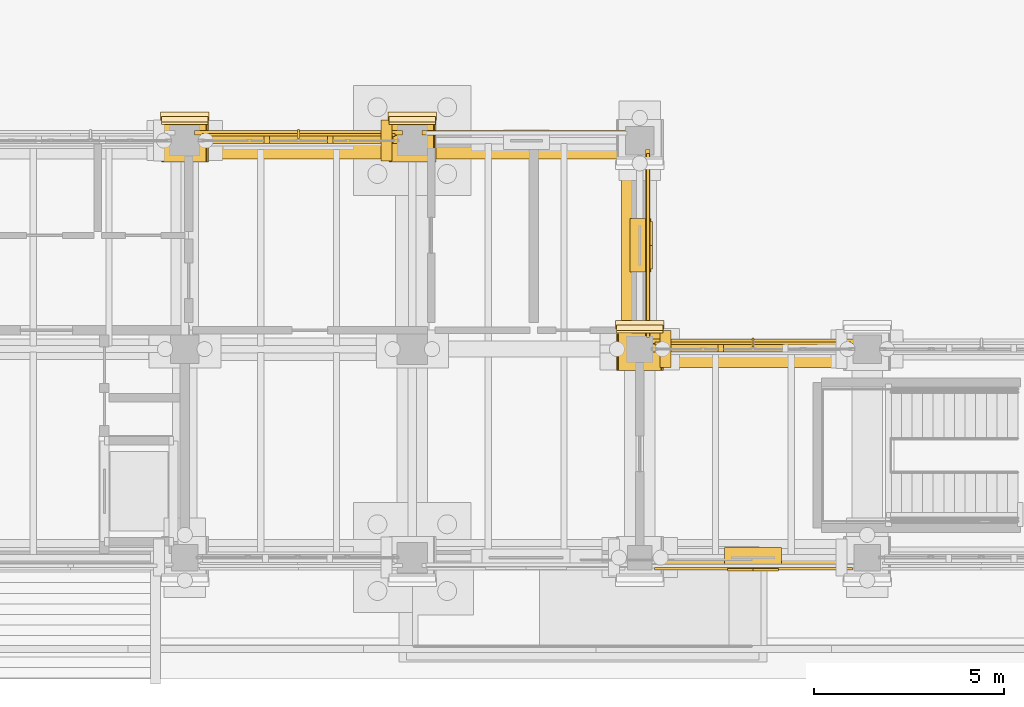
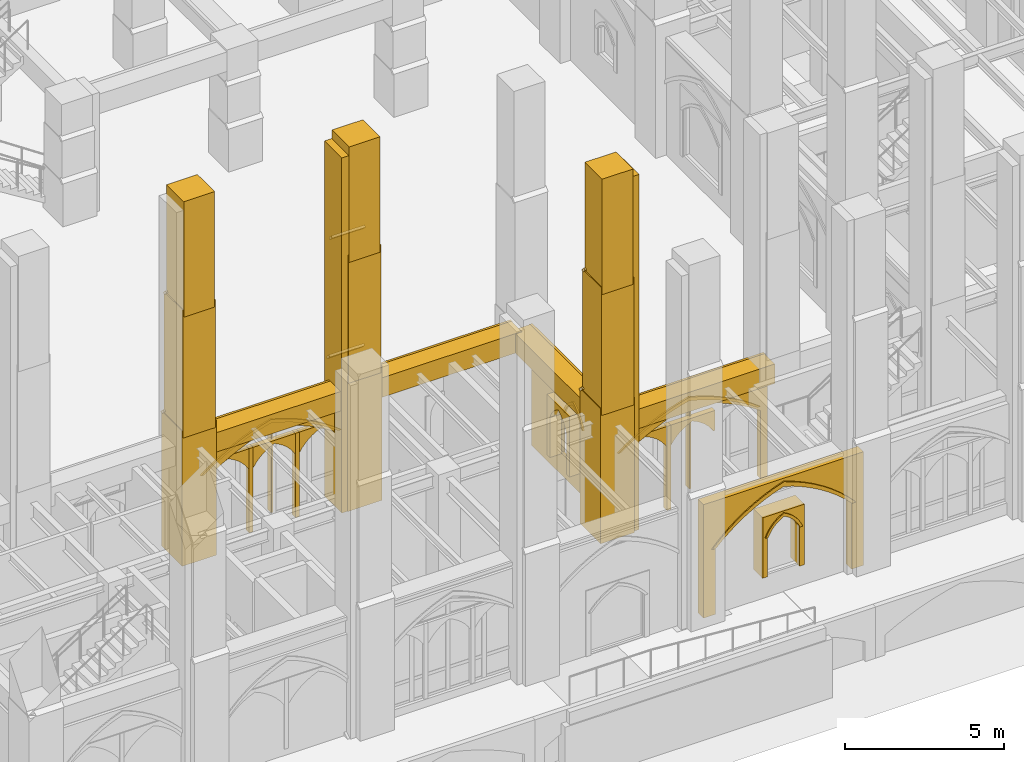
# One storey, part 81 of 135: 44 coverings, 2 shading devices.
"""IFC4 building model written with IfcOpenShell, lengths in metres."""

from ifc_helpers import new_model, si_unit, direction, frame, origin, origin_2d, place, context, subcontext, project, spatial, polyline, rectangle, outline, extrude, material, type_object, element, save


model = new_model("IFC4")

# Units and contexts
model_context = context("Model", 3, precision=1e-05, world=origin(), true_north=direction((0.0, 1.0)))
body_context = subcontext(model_context, "Body", "Model", "MODEL_VIEW")
ifc_project = project(units=[si_unit("LENGTHUNIT", "METRE"), si_unit("AREAUNIT", "SQUARE_METRE"), si_unit("VOLUMEUNIT", "CUBIC_METRE"), si_unit("PLANEANGLEUNIT", "RADIAN"), si_unit("MASSUNIT", "GRAM", prefix="KILO")], contexts=[model_context])

# Site, building, storey
site_placement = place(None, origin())
site = spatial("IfcSite", under=ifc_project, at=site_placement, CompositionType="ELEMENT")
building_placement = place(site_placement, origin())
building = spatial("IfcBuilding", under=site, at=building_placement, Name="Cumevento Cable Car Station", CompositionType="ELEMENT")
storey_placement = place(building_placement, origin())
storey = spatial("IfcBuildingStorey", under=building, at=storey_placement, Name="L01", CompositionType="ELEMENT", Elevation=0.0)

# Shading devices
ifc_material_1 = material(Name="Anodised Bronze Aluminium AW-6063-T6", Category="aluminium")
shading_device_type = type_object("IfcShadingDeviceType", Name="Bronze Lancet Brise-Soleil BS-01", PredefinedType="JALOUSIE", material=ifc_material_1)
shading_device_1_placement = place(storey_placement, frame((37.0, 15.179931640625, 0.360107421875), z_axis=(0.0, 0.0, 1.0), x_axis=(1.0, 0.0, 0.0)))
element("IfcShadingDevice", 1, at=shading_device_1_placement, inside=storey, type_object=shading_device_type, Name="Bronze Lancet Solar Fin #3", PredefinedType="JALOUSIE", context=body_context, shape_type="SweptSolid", body=[
    extrude(rectangle(XDim=0.054931640625, YDim=0.239990234375, at=origin_2d()), origin(), (0.0, 0.0, 1.0), 3.52099609375),
])
shading_device_2_placement = place(storey_placement, frame((48.987548828125, 9.679931640625, 0.409912109375), z_axis=(0.0, 0.0, 1.0), x_axis=(1.0, 0.0, 0.0)))
element("IfcShadingDevice", 2, at=shading_device_2_placement, inside=storey, type_object=shading_device_type, Name="Bronze Lancet Solar Fin #4", PredefinedType="JALOUSIE", context=body_context, shape_type="SweptSolid", body=[
    extrude(rectangle(XDim=0.054931640625, YDim=0.239990234375, at=origin_2d()), origin(), (0.0, 0.0, 1.0), 3.458984375),
])

# Coverings
ifc_material_2 = material(Name="Gnaisse Facoidal Stone Ashlar 85 MPa", Category="masonry")
covering_type = type_object("IfcCoveringType", Name="Gnaisse Ashlar Cladding CV-CL01", PredefinedType="CLADDING", material=ifc_material_2)
covering_1_placement = place(storey_placement, frame((34.0, 15.090087890625, -0.06005859375), z_axis=(0.0, 0.0, 1.0), x_axis=(-1.0, 0.0, 0.0)))
element("IfcCovering", 3, at=covering_1_placement, inside=storey, type_object=covering_type, Name="Stepped Gothic Stone Buttress Tier 1 bt:34.0:15.0", PredefinedType="CLADDING", context=body_context, shape_type="SweptSolid", body=[
    extrude(rectangle(XDim=1.239990234375, YDim=1.300048828125, at=origin_2d()), origin(), (0.0, 0.0, 1.0), 5.175537109375),
])
covering_2_placement = place(storey_placement, frame((34.639892578125, 15.760009765625, 5.095703125), z_axis=(0.0, 0.711135781079, 0.703054692658), x_axis=(-1.0, 0.0, 0.0)))
element("IfcCovering", 4, at=covering_2_placement, inside=storey, type_object=covering_type, Name="Gothic Buttress Sloped Stone Weathering 1 bt:34.0:15.0", PredefinedType="CLADDING", context=body_context, shape_type="SweptSolid", body=[
    extrude(outline(polyline([(0.0, 0.0), (1.27978515625, 0.0), (1.27978515625, 0.24169083397703695), (0.0, 0.24169083397703695), (0.0, 0.0)])), origin(), (0.0, 0.0, -1.0), 0.090087890625),
])
covering_3_placement = place(storey_placement, frame((34.0, 15.030029296875, 4.84326171875), z_axis=(0.0, 0.0, 1.0), x_axis=(-1.0, 0.0, 0.0)))
element("IfcCovering", 5, at=covering_3_placement, inside=storey, type_object=covering_type, Name="Stepped Gothic Stone Buttress Tier 2 bt:34.0:15.0", PredefinedType="CLADDING", context=body_context, shape_type="SweptSolid", body=[
    extrude(rectangle(XDim=1.179931640625, YDim=1.179931640625, at=origin_2d()), origin(), (0.0, 0.0, 1.0), 4.9033203125),
])
covering_4_placement = place(storey_placement, frame((34.610107421875, 15.639892578125, 9.726318359375), z_axis=(0.0, 0.714474823669, 0.699661151089), x_axis=(-1.0, 0.0, 0.0)))
element("IfcCovering", 6, at=covering_4_placement, inside=storey, type_object=covering_type, Name="Gothic Buttress Sloped Stone Weathering 2 bt:34.0:15.0", PredefinedType="CLADDING", context=body_context, shape_type="SweptSolid", body=[
    extrude(outline(polyline([(0.0, 0.0), (1.22021484375, 0.0), (1.22021484375, 0.21424991728737655), (0.0, 0.21424991728737655), (0.0, 0.0)])), origin(), (0.0, 0.0, -1.0), 0.090087890625),
])
covering_5_placement = place(storey_placement, frame((34.0, 14.97998046875, 9.47412109375), z_axis=(0.0, 0.0, 1.0), x_axis=(-1.0, 0.0, 0.0)))
element("IfcCovering", 7, at=covering_5_placement, inside=storey, type_object=covering_type, Name="Stepped Gothic Stone Buttress Tier 3 bt:34.0:15.0", PredefinedType="CLADDING", context=body_context, shape_type="SweptSolid", body=[
    extrude(rectangle(XDim=1.1201171875, YDim=1.080078125, at=origin_2d()), origin(), (0.0, 0.0, 1.0), 4.426025390625),
])
covering_6_placement = place(storey_placement, frame((40.0, 15.090087890625, -0.06005859375), z_axis=(0.0, 0.0, 1.0), x_axis=(-1.0, 0.0, 0.0)))
element("IfcCovering", 8, at=covering_6_placement, inside=storey, type_object=covering_type, Name="Stepped Gothic Stone Buttress Tier 1 bt:40.0:15.0", PredefinedType="CLADDING", context=body_context, shape_type="SweptSolid", body=[
    extrude(rectangle(XDim=1.239990234375, YDim=1.300048828125, at=origin_2d()), origin(), (0.0, 0.0, 1.0), 5.175537109375),
])
covering_7_placement = place(storey_placement, frame((40.639892578125, 15.760009765625, 5.095703125), z_axis=(0.0, 0.711135781079, 0.703054692658), x_axis=(-1.0, 0.0, 0.0)))
element("IfcCovering", 9, at=covering_7_placement, inside=storey, type_object=covering_type, Name="Gothic Buttress Sloped Stone Weathering 1 bt:40.0:15.0", PredefinedType="CLADDING", context=body_context, shape_type="SweptSolid", body=[
    extrude(outline(polyline([(0.0, 0.0), (1.27978515625, 0.0), (1.27978515625, 0.24169083397703695), (0.0, 0.24169083397703695), (0.0, 0.0)])), origin(), (0.0, 0.0, -1.0), 0.090087890625),
])
covering_8_placement = place(storey_placement, frame((40.0, 15.030029296875, 4.84326171875), z_axis=(0.0, 0.0, 1.0), x_axis=(-1.0, 0.0, 0.0)))
element("IfcCovering", 10, at=covering_8_placement, inside=storey, type_object=covering_type, Name="Stepped Gothic Stone Buttress Tier 2 bt:40.0:15.0", PredefinedType="CLADDING", context=body_context, shape_type="SweptSolid", body=[
    extrude(rectangle(XDim=1.179931640625, YDim=1.179931640625, at=origin_2d()), origin(), (0.0, 0.0, 1.0), 4.9033203125),
])
covering_9_placement = place(storey_placement, frame((40.610107421875, 15.639892578125, 9.726318359375), z_axis=(0.0, 0.714474823669, 0.699661151089), x_axis=(-1.0, 0.0, 0.0)))
element("IfcCovering", 11, at=covering_9_placement, inside=storey, type_object=covering_type, Name="Gothic Buttress Sloped Stone Weathering 2 bt:40.0:15.0", PredefinedType="CLADDING", context=body_context, shape_type="SweptSolid", body=[
    extrude(outline(polyline([(0.0, 0.0), (1.22021484375, 0.0), (1.22021484375, 0.21424991728737655), (0.0, 0.21424991728737655), (0.0, 0.0)])), origin(), (0.0, 0.0, -1.0), 0.090087890625),
])
covering_10_placement = place(storey_placement, frame((40.0, 14.97998046875, 9.47412109375), z_axis=(0.0, 0.0, 1.0), x_axis=(-1.0, 0.0, 0.0)))
element("IfcCovering", 12, at=covering_10_placement, inside=storey, type_object=covering_type, Name="Stepped Gothic Stone Buttress Tier 3 bt:40.0:15.0", PredefinedType="CLADDING", context=body_context, shape_type="SweptSolid", body=[
    extrude(rectangle(XDim=1.1201171875, YDim=1.080078125, at=origin_2d()), origin(), (0.0, 0.0, 1.0), 4.426025390625),
])
covering_11_placement = place(storey_placement, frame((39.320068359375, 15.0, -0.06005859375), z_axis=(0.0, 0.0, 1.0), x_axis=(1.0, 0.0, 0.0)))
element("IfcCovering", 13, at=covering_11_placement, inside=storey, type_object=covering_type, Name="Corner Buttress Stone Return (40.0,15.0)", PredefinedType="CLADDING", context=body_context, shape_type="SweptSolid", body=[
    extrude(rectangle(XDim=0.280029296875, YDim=1.080078125, at=origin_2d()), origin(), (0.0, 0.0, 1.0), 13.6201171875),
])
covering_12_placement = place(storey_placement, frame((46.0, 9.590087890625, -0.06005859375), z_axis=(0.0, 0.0, 1.0), x_axis=(-1.0, 0.0, 0.0)))
element("IfcCovering", 14, at=covering_12_placement, inside=storey, type_object=covering_type, Name="Stepped Gothic Stone Buttress Tier 1 bt:46.0:9.5", PredefinedType="CLADDING", context=body_context, shape_type="SweptSolid", body=[
    extrude(rectangle(XDim=1.239990234375, YDim=1.300048828125, at=origin_2d()), origin(), (0.0, 0.0, 1.0), 5.175537109375),
])
covering_13_placement = place(storey_placement, frame((46.639892578125, 10.260009765625, 5.095703125), z_axis=(0.0, 0.711135781079, 0.703054692658), x_axis=(-1.0, 0.0, 0.0)))
element("IfcCovering", 15, at=covering_13_placement, inside=storey, type_object=covering_type, Name="Gothic Buttress Sloped Stone Weathering 1 bt:46.0:9.5", PredefinedType="CLADDING", context=body_context, shape_type="SweptSolid", body=[
    extrude(outline(polyline([(0.0, 0.0), (1.27978515625, 0.0), (1.27978515625, 0.24169083397703695), (0.0, 0.24169083397703695), (0.0, 0.0)])), origin(), (0.0, 0.0, -1.0), 0.090087890625),
])
covering_14_placement = place(storey_placement, frame((46.0, 9.530029296875, 4.84326171875), z_axis=(0.0, 0.0, 1.0), x_axis=(-1.0, 0.0, 0.0)))
element("IfcCovering", 16, at=covering_14_placement, inside=storey, type_object=covering_type, Name="Stepped Gothic Stone Buttress Tier 2 bt:46.0:9.5", PredefinedType="CLADDING", context=body_context, shape_type="SweptSolid", body=[
    extrude(rectangle(XDim=1.179931640625, YDim=1.179931640625, at=origin_2d()), origin(), (0.0, 0.0, 1.0), 4.9033203125),
])
covering_15_placement = place(storey_placement, frame((46.610107421875, 10.139892578125, 9.726318359375), z_axis=(0.0, 0.714474823669, 0.699661151089), x_axis=(-1.0, 0.0, 0.0)))
element("IfcCovering", 17, at=covering_15_placement, inside=storey, type_object=covering_type, Name="Gothic Buttress Sloped Stone Weathering 2 bt:46.0:9.5", PredefinedType="CLADDING", context=body_context, shape_type="SweptSolid", body=[
    extrude(outline(polyline([(0.0, 0.0), (1.22021484375, 0.0), (1.22021484375, 0.21424991728737655), (0.0, 0.21424991728737655), (0.0, 0.0)])), origin(), (0.0, 0.0, -1.0), 0.090087890625),
])
covering_16_placement = place(storey_placement, frame((46.0, 9.47998046875, 9.47412109375), z_axis=(0.0, 0.0, 1.0), x_axis=(-1.0, 0.0, 0.0)))
element("IfcCovering", 18, at=covering_16_placement, inside=storey, type_object=covering_type, Name="Stepped Gothic Stone Buttress Tier 3 bt:46.0:9.5", PredefinedType="CLADDING", context=body_context, shape_type="SweptSolid", body=[
    extrude(rectangle(XDim=1.1201171875, YDim=1.080078125, at=origin_2d()), origin(), (0.0, 0.0, 1.0), 4.426025390625),
])
covering_17_placement = place(storey_placement, frame((46.679931640625, 9.5, -0.06005859375), z_axis=(0.0, 0.0, 1.0), x_axis=(1.0, 0.0, 0.0)))
element("IfcCovering", 19, at=covering_17_placement, inside=storey, type_object=covering_type, Name="Corner Buttress Stone Return (46.0,9.5)", PredefinedType="CLADDING", context=body_context, shape_type="SweptSolid", body=[
    extrude(rectangle(XDim=0.280029296875, YDim=0.97998046875, at=origin_2d()), origin(), (0.0, 0.0, 1.0), 13.6201171875),
])
covering_18_placement = place(storey_placement, frame((37.0, 14.85009765625, 3.821044921875), z_axis=(0.0, 0.0, 1.0), x_axis=(1.0, 0.0, 0.0)))
element("IfcCovering", 20, at=covering_18_placement, inside=storey, type_object=covering_type, Name="Gothic Stone Spandrel Stringcourse sc:0007", PredefinedType="CLADDING", context=body_context, shape_type="SweptSolid", body=[
    extrude(rectangle(XDim=5.43994140625, YDim=0.659912109375, at=origin_2d()), origin(), (0.0, 0.0, 1.0), 0.7470703125),
])
covering_19_placement = place(storey_placement, frame((37.0, 15.20751953125, 4.43798828125), z_axis=(0.0, 0.0, 1.0), x_axis=(1.0, 0.0, 0.0)))
element("IfcCovering", 21, at=covering_19_placement, inside=storey, type_object=covering_type, Name="Gothic Cornice Dripstone Lip sc:0007", PredefinedType="CLADDING", context=body_context, shape_type="SweptSolid", body=[
    extrude(rectangle(XDim=5.47998046875, YDim=0.114990234375, at=origin_2d()), origin(), (0.0, 0.0, 1.0), 0.1298828125),
])
covering_20_placement = place(storey_placement, frame((43.012451171875, 14.85009765625, 3.821044921875), z_axis=(0.0, 0.0, 1.0), x_axis=(1.0, 0.0, 0.0)))
element("IfcCovering", 22, at=covering_20_placement, inside=storey, type_object=covering_type, Name="Gothic Stone Spandrel Stringcourse sc:0008", PredefinedType="CLADDING", context=body_context, shape_type="SweptSolid", body=[
    extrude(rectangle(XDim=5.465087890625, YDim=0.659912109375, at=origin_2d()), origin(), (0.0, 0.0, 1.0), 0.7470703125),
])
covering_21_placement = place(storey_placement, frame((43.012451171875, 15.20751953125, 4.43798828125), z_axis=(0.0, 0.0, 1.0), x_axis=(1.0, 0.0, 0.0)))
element("IfcCovering", 23, at=covering_21_placement, inside=storey, type_object=covering_type, Name="Gothic Cornice Dripstone Lip sc:0008", PredefinedType="CLADDING", context=body_context, shape_type="SweptSolid", body=[
    extrude(rectangle(XDim=5.5048828125, YDim=0.114990234375, at=origin_2d()), origin(), (0.0, 0.0, 1.0), 0.1298828125),
])
covering_22_placement = place(storey_placement, frame((45.85009765625, 12.237548828125, 3.80908203125), z_axis=(0.0, 0.0, 1.0), x_axis=(0.0, -1.0, 0.0)))
element("IfcCovering", 24, at=covering_22_placement, inside=storey, type_object=covering_type, Name="Gothic Stone Spandrel Stringcourse sc:0011", PredefinedType="CLADDING", context=body_context, shape_type="SweptSolid", body=[
    extrude(rectangle(XDim=5.014892578125, YDim=0.659912109375, at=origin_2d()), origin(), (0.0, 0.0, 1.0), 0.7470703125),
])
covering_23_placement = place(storey_placement, frame((46.20751953125, 12.237548828125, 4.426025390625), z_axis=(0.0, 0.0, 1.0), x_axis=(0.0, -1.0, 0.0)))
element("IfcCovering", 25, at=covering_23_placement, inside=storey, type_object=covering_type, Name="Gothic Cornice Dripstone Lip sc:0011", PredefinedType="CLADDING", context=body_context, shape_type="SweptSolid", body=[
    extrude(rectangle(XDim=5.054931640625, YDim=0.114990234375, at=origin_2d()), origin(), (0.0, 0.0, 1.0), 0.1298828125),
])
covering_24_placement = place(storey_placement, frame((48.987548828125, 9.35009765625, 3.80908203125), z_axis=(0.0, 0.0, 1.0), x_axis=(1.0, 0.0, 0.0)))
element("IfcCovering", 26, at=covering_24_placement, inside=storey, type_object=covering_type, Name="Gothic Stone Spandrel Stringcourse sc:0018", PredefinedType="CLADDING", context=body_context, shape_type="SweptSolid", body=[
    extrude(rectangle(XDim=5.514892578125, YDim=0.659912109375, at=origin_2d()), origin(), (0.0, 0.0, 1.0), 0.7470703125),
])
covering_25_placement = place(storey_placement, frame((48.987548828125, 9.70751953125, 4.426025390625), z_axis=(0.0, 0.0, 1.0), x_axis=(1.0, 0.0, 0.0)))
element("IfcCovering", 27, at=covering_25_placement, inside=storey, type_object=covering_type, Name="Gothic Cornice Dripstone Lip sc:0018", PredefinedType="CLADDING", context=body_context, shape_type="SweptSolid", body=[
    extrude(rectangle(XDim=5.554931640625, YDim=0.114990234375, at=origin_2d()), origin(), (0.0, 0.0, 1.0), 0.1298828125),
])
placement_1 = place(storey_placement, frame((34.39990234375, 15.0, 0.0), z_axis=(0.0, 0.0, 1.0), x_axis=(1.0, 0.0, 0.0)))
element("IfcCovering", 28, at=placement_1, inside=storey, type_object=covering_type, Name="Gothic Ogival Pointed-Arch Stone Spandrel cw_ogival:0004", PredefinedType="CLADDING", context=body_context, shape_type="SweptSolid", body=[
    extrude(outline(polyline([(-0.080078125, 0.0), (-0.080078125, 3.9609375), (5.280029296875, 3.9609375), (5.280029296875, 0.0), (5.0400390625, 0.0), (5.0400390625, 2.61328125), (4.76318359375, 2.809814453125), (4.476806640625, 2.99169921875), (4.181396484375, 3.15869140625), (3.878173828125, 3.310791015625), (3.567626953125, 3.447509765625), (3.25048828125, 3.568115234375), (2.927734375, 3.673095703125), (2.60009765625, 3.760986328125), (2.272216796875, 3.673095703125), (1.949462890625, 3.568115234375), (1.63232421875, 3.447509765625), (1.32177734375, 3.310791015625), (1.0185546875, 3.15869140625), (0.72314453125, 2.99169921875), (0.436767578125, 2.809814453125), (0.159912109375, 2.61328125), (0.159912109375, 0.0), (-0.080078125, 0.0)])), frame((0.0, 0.139892578125, 0.0), z_axis=(0.0, -1.0, 0.0), x_axis=(1.0, 0.0, 0.0)), (0.0, 0.0, 1.0), 0.219970703125),
])
covering_27_placement = place(storey_placement, frame((34.39990234375, 15.0, 2.61328125), z_axis=(0.0, 0.0, 1.0), x_axis=(1.0, 0.0, 0.0)))
element("IfcCovering", 29, at=covering_27_placement, inside=storey, type_object=covering_type, Name="Gothic Pointed Archivolt Hood Moulding cw_ogival:0004", PredefinedType="CLADDING", context=body_context, shape_type="SweptSolid", body=[
    extrude(outline(polyline([(0.159912109375, 0.0), (0.436767578125, 0.1962890625), (0.72314453125, 0.378173828125), (1.0185546875, 0.54541015625), (1.32177734375, 0.697509765625), (1.63232421875, 0.834228515625), (1.949462890625, 0.954833984375), (2.272216796875, 1.0595703125), (2.60009765625, 1.147705078125), (2.927734375, 1.0595703125), (3.25048828125, 0.954833984375), (3.567626953125, 0.834228515625), (3.878173828125, 0.697509765625), (4.181396484375, 0.54541015625), (4.476806640625, 0.378173828125), (4.76318359375, 0.1962890625), (5.0400390625, 0.0), (5.14990234375, 0.0), (4.86474609375, 0.218994140625), (4.568115234375, 0.42236328125), (4.260986328125, 0.609619140625), (3.944091796875, 0.780029296875), (3.618896484375, 0.93310546875), (3.28564453125, 1.068603515625), (2.94580078125, 1.18603515625), (2.60009765625, 1.28515625), (2.254150390625, 1.18603515625), (1.914306640625, 1.068603515625), (1.5810546875, 0.93310546875), (1.255859375, 0.780029296875), (0.93896484375, 0.609619140625), (0.6318359375, 0.42236328125), (0.335205078125, 0.218994140625), (0.050048828125, 0.0), (0.159912109375, 0.0)])), frame((0.0, 0.181884765625, 0.0), z_axis=(0.0, -1.0, 0.0), x_axis=(1.0, 0.0, 0.0)), (0.0, 0.0, 1.0), 0.06689453125),
])
element("IfcCovering", 30, at=placement_1, inside=storey, type_object=covering_type, Name="Gothic Bifora Stone Colonnette cw_ogival:0004 #1", PredefinedType="CLADDING", context=body_context, shape_type="SweptSolid", body=[
    extrude(outline(polyline([(1.686767578125, -0.02001953125), (1.836669921875, -0.02001953125), (1.836669921875, 3.210205078125), (1.686767578125, 3.210205078125), (1.686767578125, -0.02001953125)])), frame((0.0, 0.1279296875, 0.0), z_axis=(0.0, -1.0, 0.0), x_axis=(1.0, 0.0, 0.0)), (0.0, 0.0, 1.0), 0.205078125),
])
element("IfcCovering", 31, at=placement_1, inside=storey, type_object=covering_type, Name="Gothic Bifora Stone Colonnette cw_ogival:0004 #2", PredefinedType="CLADDING", context=body_context, shape_type="SweptSolid", body=[
    extrude(outline(polyline([(3.36328125, -0.02001953125), (3.513427734375, -0.02001953125), (3.513427734375, 3.210205078125), (3.36328125, 3.210205078125), (3.36328125, -0.02001953125)])), frame((0.0, 0.1279296875, 0.0), z_axis=(0.0, -1.0, 0.0), x_axis=(1.0, 0.0, 0.0)), (0.0, 0.0, 1.0), 0.205078125),
])
for number, where, z_axis, x_axis, name in (
    (32, (34.530029296875, 15.0, 2.433349609375), (0.0, 0.0, 1.0), (1.0, 0.0, 0.0), "Gothic Ogival Pointed-Arch Stone Spandrel cw_ogival:0004:sub:0"),
    (33, (36.206787109375, 15.0, 2.433349609375), (0.0, 0.0, 1.0), (1.0, 0.0, 0.0), "Gothic Ogival Pointed-Arch Stone Spandrel cw_ogival:0004:sub:1"),
    (34, (37.88330078125, 15.0, 2.433349609375), (0.0, 0.0, 1.0), (1.0, 0.0, 0.0), "Gothic Ogival Pointed-Arch Stone Spandrel cw_ogival:0004:sub:2"),
):
    element("IfcCovering", number, at=place(storey_placement, frame(where, z_axis=z_axis, x_axis=x_axis)), inside=storey, type_object=covering_type, Name=name, PredefinedType="CLADDING", context=body_context, shape_type="SweptSolid", body=[
        extrude(outline(polyline([(-0.02001953125, 0.0), (-0.02001953125, 0.77685546875), (1.606689453125, 0.77685546875), (1.606689453125, 0.0), (1.546630859375, 0.0), (1.453857421875, 0.141845703125), (1.34619140625, 0.272705078125), (1.224609375, 0.39111328125), (1.0908203125, 0.495361328125), (0.946533203125, 0.584228515625), (0.793212890625, 0.65673828125), (0.64013671875, 0.584228515625), (0.495849609375, 0.495361328125), (0.362060546875, 0.39111328125), (0.240478515625, 0.272705078125), (0.1328125, 0.141845703125), (0.0400390625, 0.0), (-0.02001953125, 0.0)])), frame((0.0, 0.1240234375, 0.0), z_axis=(0.0, -1.0, 0.0), x_axis=(1.0, 0.0, 0.0)), (0.0, 0.0, 1.0), 0.199951171875),
    ])
placement_2 = place(storey_placement, frame((46.35009765625, 9.5, 0.0), z_axis=(0.0, 0.0, 1.0), x_axis=(1.0, 0.0, 0.0)))
element("IfcCovering", 35, at=placement_2, inside=storey, type_object=covering_type, Name="Gothic Ogival Pointed-Arch Stone Spandrel cw_ogival:0005", PredefinedType="CLADDING", context=body_context, shape_type="SweptSolid", body=[
    extrude(outline(polyline([(-0.080078125, 0.0), (-0.080078125, 3.948974609375), (5.35498046875, 3.948974609375), (5.35498046875, 0.0), (5.114990234375, 0.0), (5.114990234375, 2.623779296875), (4.83203125, 2.81640625), (4.5400390625, 2.9951171875), (4.239501953125, 3.1591796875), (3.931396484375, 3.308349609375), (3.616455078125, 3.442138671875), (3.295166015625, 3.560302734375), (2.96875, 3.662841796875), (2.637451171875, 3.7490234375), (2.30615234375, 3.662841796875), (1.979736328125, 3.560302734375), (1.658447265625, 3.442138671875), (1.343505859375, 3.308349609375), (1.035400390625, 3.1591796875), (0.73486328125, 2.9951171875), (0.44287109375, 2.81640625), (0.159912109375, 2.623779296875), (0.159912109375, 0.0), (-0.080078125, 0.0)])), frame((0.0, 0.139892578125, 0.0), z_axis=(0.0, -1.0, 0.0), x_axis=(1.0, 0.0, 0.0)), (0.0, 0.0, 1.0), 0.219970703125),
])
covering_31_placement = place(storey_placement, frame((46.35009765625, 9.5, 2.623779296875), z_axis=(0.0, 0.0, 1.0), x_axis=(1.0, 0.0, 0.0)))
element("IfcCovering", 36, at=covering_31_placement, inside=storey, type_object=covering_type, Name="Gothic Pointed Archivolt Hood Moulding cw_ogival:0005", PredefinedType="CLADDING", context=body_context, shape_type="SweptSolid", body=[
    extrude(outline(polyline([(0.159912109375, 0.0), (0.44287109375, 0.192626953125), (0.73486328125, 0.371337890625), (1.035400390625, 0.535400390625), (1.343505859375, 0.6845703125), (1.658447265625, 0.818359375), (1.979736328125, 0.9365234375), (2.30615234375, 1.0390625), (2.637451171875, 1.125244140625), (2.96875, 1.0390625), (3.295166015625, 0.9365234375), (3.616455078125, 0.818359375), (3.931396484375, 0.6845703125), (4.239501953125, 0.535400390625), (4.5400390625, 0.371337890625), (4.83203125, 0.192626953125), (5.114990234375, 0.0), (5.22509765625, 0.0), (4.933349609375, 0.215576171875), (4.631103515625, 0.41552734375), (4.31884765625, 0.599609375), (3.997314453125, 0.766845703125), (3.66748046875, 0.917236328125), (3.330322265625, 1.05029296875), (2.986572265625, 1.16552734375), (2.637451171875, 1.2626953125), (2.288330078125, 1.16552734375), (1.944580078125, 1.05029296875), (1.607421875, 0.917236328125), (1.277587890625, 0.766845703125), (0.9560546875, 0.599609375), (0.643798828125, 0.41552734375), (0.341552734375, 0.215576171875), (0.050048828125, 0.0), (0.159912109375, 0.0)])), frame((0.0, 0.181884765625, 0.0), z_axis=(0.0, -1.0, 0.0), x_axis=(1.0, 0.0, 0.0)), (0.0, 0.0, 1.0), 0.06689453125),
])
element("IfcCovering", 37, at=placement_2, inside=storey, type_object=covering_type, Name="Gothic Bifora Stone Colonnette cw_ogival:0005 #1", PredefinedType="CLADDING", context=body_context, shape_type="SweptSolid", body=[
    extrude(outline(polyline([(1.711669921875, -0.02001953125), (1.861572265625, -0.02001953125), (1.861572265625, 3.208984375), (1.711669921875, 3.208984375), (1.711669921875, -0.02001953125)])), frame((0.0, 0.1279296875, 0.0), z_axis=(0.0, -1.0, 0.0), x_axis=(1.0, 0.0, 0.0)), (0.0, 0.0, 1.0), 0.205078125),
])
for number, where, z_axis, x_axis, name in (
    (38, (46.47998046875, 9.5, 2.44384765625), (0.0, 0.0, 1.0), (1.0, 0.0, 0.0), "Gothic Ogival Pointed-Arch Stone Spandrel cw_ogival:0005:sub:0"),
    (39, (48.181640625, 9.5, 2.44384765625), (0.0, 0.0, 1.0), (1.0, 0.0, 0.0), "Gothic Ogival Pointed-Arch Stone Spandrel cw_ogival:0005:sub:1"),
):
    element("IfcCovering", number, at=place(storey_placement, frame(where, z_axis=z_axis, x_axis=x_axis)), inside=storey, type_object=covering_type, Name=name, PredefinedType="CLADDING", context=body_context, shape_type="SweptSolid", body=[
        extrude(outline(polyline([(-0.02001953125, 0.0), (-0.02001953125, 0.76513671875), (1.631591796875, 0.76513671875), (1.631591796875, 0.0), (1.57177734375, 0.0), (1.475341796875, 0.139892578125), (1.36474609375, 0.2685546875), (1.240966796875, 0.384765625), (1.10546875, 0.487060546875), (0.9599609375, 0.573974609375), (0.805908203125, 0.64501953125), (0.651611328125, 0.573974609375), (0.506103515625, 0.487060546875), (0.37060546875, 0.384765625), (0.246826171875, 0.2685546875), (0.13623046875, 0.139892578125), (0.0400390625, 0.0), (-0.02001953125, 0.0)])), frame((0.0, 0.1240234375, 0.0), z_axis=(0.0, -1.0, 0.0), x_axis=(1.0, 0.0, 0.0)), (0.0, 0.0, 1.0), 0.199951171875),
    ])
covering_33_placement = place(storey_placement, frame((46.0, 14.625, 0.0), z_axis=(0.0, 0.0, 1.0), x_axis=(0.0, -1.0, 0.0)))
element("IfcCovering", 40, at=covering_33_placement, inside=storey, type_object=covering_type, Name="Exterior Gnaisse Stone Wall Ashlar #116", PredefinedType="CLADDING", context=body_context, shape_type="SweptSolid", body=[
    extrude(outline(polyline([(-0.0400390625, -0.02001953125), (4.81494140625, -0.02001953125), (4.81494140625, 3.888916015625), (-0.0400390625, 3.888916015625), (-0.0400390625, -0.02001953125)]), holes=[polyline([(1.87255859375, 0.860107421875), (2.902587890625, 0.860107421875), (2.902587890625, 2.889892578125), (1.87255859375, 2.889892578125), (1.87255859375, 0.860107421875)])]), frame((0.0, 0.260009765625, 0.0), z_axis=(0.0, -1.0, 0.0), x_axis=(1.0, 0.0, 0.0)), (0.0, 0.0, 1.0), 0.0849609375),
])
covering_34_placement = place(storey_placement, frame((46.0, 12.902587890625, 0.800048828125), z_axis=(0.0, 0.0, 1.0), x_axis=(0.0, -1.0, 0.0)))
element("IfcCovering", 41, at=covering_34_placement, inside=storey, type_object=covering_type, Name="Gothic Ogival Pointed-Arch Stone Spandrel op_ogival:0116:1", PredefinedType="CLADDING", context=body_context, shape_type="SweptSolid", body=[
    extrude(outline(polyline([(-0.0400390625, 0.0), (-0.0400390625, 2.320068359375), (1.3701171875, 2.320068359375), (1.3701171875, 0.0), (1.18994140625, 0.0), (1.18994140625, 1.52587890625), (1.1474609375, 1.63671875), (1.0927734375, 1.74169921875), (1.026611328125, 1.839599609375), (0.94970703125, 1.9296875), (0.863037109375, 2.010498046875), (0.767578125, 2.080810546875), (0.6650390625, 2.139892578125), (0.5625, 2.080810546875), (0.467041015625, 2.010498046875), (0.38037109375, 1.9296875), (0.303466796875, 1.839599609375), (0.2373046875, 1.74169921875), (0.1826171875, 1.63671875), (0.139892578125, 1.52587890625), (0.139892578125, 0.0), (-0.0400390625, 0.0)])), frame((0.0, 0.298095703125, 0.0), z_axis=(0.0, -1.0, 0.0), x_axis=(1.0, 0.0, 0.0)), (0.0, 0.0, 1.0), 0.550048828125),
])
covering_35_placement = place(storey_placement, frame((46.0, 12.902587890625, 2.325927734375), z_axis=(0.0, 0.0, 1.0), x_axis=(0.0, -1.0, 0.0)))
element("IfcCovering", 42, at=covering_35_placement, inside=storey, type_object=covering_type, Name="Gothic Pointed Archivolt Hood Moulding op_ogival:0116:1", PredefinedType="CLADDING", context=body_context, shape_type="SweptSolid", body=[
    extrude(outline(polyline([(0.139892578125, 0.0), (0.1826171875, 0.110595703125), (0.2373046875, 0.215576171875), (0.303466796875, 0.313720703125), (0.38037109375, 0.40380859375), (0.467041015625, 0.484375), (0.5625, 0.554931640625), (0.6650390625, 0.614013671875), (0.767578125, 0.554931640625), (0.863037109375, 0.484375), (0.94970703125, 0.40380859375), (1.026611328125, 0.313720703125), (1.0927734375, 0.215576171875), (1.1474609375, 0.110595703125), (1.18994140625, 0.0), (1.2890625, 0.0), (1.2392578125, 0.132568359375), (1.174560546875, 0.2587890625), (1.095947265625, 0.376708984375), (1.00439453125, 0.48486328125), (0.901123046875, 0.58203125), (0.78759765625, 0.66650390625), (0.6650390625, 0.73779296875), (0.54248046875, 0.66650390625), (0.428955078125, 0.58203125), (0.32568359375, 0.48486328125), (0.234130859375, 0.376708984375), (0.155517578125, 0.2587890625), (0.0908203125, 0.132568359375), (0.041015625, 0.0), (0.139892578125, 0.0)])), frame((0.0, 0.340087890625, 0.0), z_axis=(0.0, -1.0, 0.0), x_axis=(1.0, 0.0, 0.0)), (0.0, 0.0, 1.0), 0.06689453125),
])
covering_36_placement = place(storey_placement, frame((49.702392578125, 4.0, 0.800048828125), z_axis=(0.0, 0.0, 1.0), x_axis=(-1.0, 0.0, 0.0)))
element("IfcCovering", 43, at=covering_36_placement, inside=storey, type_object=covering_type, Name="Gothic Ogival Pointed-Arch Stone Spandrel op_ogival:0117:1", PredefinedType="CLADDING", context=body_context, shape_type="SweptSolid", body=[
    extrude(outline(polyline([(-0.0400390625, 0.0), (-0.0400390625, 2.320068359375), (1.469970703125, 2.320068359375), (1.469970703125, 0.0), (1.2900390625, 0.0), (1.2900390625, 1.52587890625), (1.23876953125, 1.6376953125), (1.17578125, 1.743408203125), (1.101806640625, 1.841796875), (1.017578125, 1.931396484375), (0.92431640625, 2.01171875), (0.8232421875, 2.081298828125), (0.715087890625, 2.139892578125), (0.606689453125, 2.081298828125), (0.505615234375, 2.01171875), (0.412353515625, 1.931396484375), (0.328125, 1.841796875), (0.254150390625, 1.743408203125), (0.191162109375, 1.6376953125), (0.139892578125, 1.52587890625), (0.139892578125, 0.0), (-0.0400390625, 0.0)])), frame((0.0, 0.30810546875, 0.0), z_axis=(0.0, -1.0, 0.0), x_axis=(1.0, 0.0, 0.0)), (0.0, 0.0, 1.0), 0.570068359375),
])
covering_37_placement = place(storey_placement, frame((49.702392578125, 4.0, 2.325927734375), z_axis=(0.0, 0.0, 1.0), x_axis=(-1.0, 0.0, 0.0)))
element("IfcCovering", 44, at=covering_37_placement, inside=storey, type_object=covering_type, Name="Gothic Pointed Archivolt Hood Moulding op_ogival:0117:1", PredefinedType="CLADDING", context=body_context, shape_type="SweptSolid", body=[
    extrude(outline(polyline([(0.139892578125, 0.0), (0.191162109375, 0.11181640625), (0.254150390625, 0.217529296875), (0.328125, 0.315673828125), (0.412353515625, 0.405517578125), (0.505615234375, 0.48583984375), (0.606689453125, 0.555419921875), (0.715087890625, 0.614013671875), (0.8232421875, 0.555419921875), (0.92431640625, 0.48583984375), (1.017578125, 0.405517578125), (1.101806640625, 0.315673828125), (1.17578125, 0.217529296875), (1.23876953125, 0.11181640625), (1.2900390625, 0.0), (1.388916015625, 0.0), (1.330322265625, 0.134033203125), (1.25732421875, 0.2607421875), (1.171142578125, 0.378662109375), (1.072509765625, 0.486572265625), (0.962646484375, 0.583251953125), (0.843017578125, 0.667236328125), (0.715087890625, 0.73779296875), (0.5869140625, 0.667236328125), (0.46728515625, 0.583251953125), (0.357421875, 0.486572265625), (0.2587890625, 0.378662109375), (0.172607421875, 0.2607421875), (0.099609375, 0.134033203125), (0.041015625, 0.0), (0.139892578125, 0.0)])), frame((0.0, 0.35009765625, 0.0), z_axis=(0.0, -1.0, 0.0), x_axis=(1.0, 0.0, 0.0)), (0.0, 0.0, 1.0), 0.06689453125),
])
covering_38_placement = place(storey_placement, frame((51.64990234375, 4.0, 0.0), z_axis=(0.0, 0.0, 1.0), x_axis=(-1.0, 0.0, 0.0)))
element("IfcCovering", 45, at=covering_38_placement, inside=storey, type_object=covering_type, Name="Gothic Ogival Pointed-Arch Stone Spandrel south_arcade:03", PredefinedType="CLADDING", context=body_context, shape_type="SweptSolid", body=[
    extrude(outline(polyline([(-0.25, 0.0), (-0.25, 4.35009765625), (5.550048828125, 4.35009765625), (5.550048828125, 0.0), (5.1201171875, 0.0), (5.1201171875, 2.550048828125), (4.85791015625, 2.80615234375), (4.580078125, 3.044921875), (4.287841796875, 3.265869140625), (3.98193359375, 3.467529296875), (3.6640625, 3.649658203125), (3.335205078125, 3.81103515625), (2.996826171875, 3.951416015625), (2.64990234375, 4.070068359375), (2.30322265625, 3.951416015625), (1.96484375, 3.81103515625), (1.635986328125, 3.649658203125), (1.318115234375, 3.467529296875), (1.01220703125, 3.265869140625), (0.719970703125, 3.044921875), (0.442138671875, 2.80615234375), (0.179931640625, 2.550048828125), (0.179931640625, 0.0), (-0.25, 0.0)])), frame((0.0, 0.280029296875, 0.0), z_axis=(0.0, -1.0, 0.0), x_axis=(1.0, 0.0, 0.0)), (0.0, 0.0, 1.0), 0.360107421875),
])
covering_39_placement = place(storey_placement, frame((51.64990234375, 4.0, 2.550048828125), z_axis=(0.0, 0.0, 1.0), x_axis=(-1.0, 0.0, 0.0)))
element("IfcCovering", 46, at=covering_39_placement, inside=storey, type_object=covering_type, Name="Gothic Pointed Archivolt Hood Moulding south_arcade:03", PredefinedType="CLADDING", context=body_context, shape_type="SweptSolid", body=[
    extrude(outline(polyline([(0.179931640625, 0.0), (0.442138671875, 0.256103515625), (0.719970703125, 0.494873046875), (1.01220703125, 0.7158203125), (1.318115234375, 0.91748046875), (1.635986328125, 1.099609375), (1.96484375, 1.260986328125), (2.30322265625, 1.4013671875), (2.64990234375, 1.52001953125), (2.996826171875, 1.4013671875), (3.335205078125, 1.260986328125), (3.6640625, 1.099609375), (3.98193359375, 0.91748046875), (4.287841796875, 0.7158203125), (4.580078125, 0.494873046875), (4.85791015625, 0.256103515625), (5.1201171875, 0.0), (5.260009765625, 0.0), (4.988037109375, 0.284423828125), (4.697998046875, 0.55029296875), (4.390625, 0.796142578125), (4.06787109375, 1.021484375), (3.73095703125, 1.224609375), (3.38134765625, 1.4052734375), (3.0205078125, 1.562255859375), (2.64990234375, 1.695068359375), (2.279541015625, 1.562255859375), (1.918701171875, 1.4052734375), (1.569091796875, 1.224609375), (1.232177734375, 1.021484375), (0.909423828125, 0.796142578125), (0.60205078125, 0.55029296875), (0.31201171875, 0.284423828125), (0.0400390625, 0.0), (0.179931640625, 0.0)])), frame((0.0, 0.322021484375, 0.0), z_axis=(0.0, -1.0, 0.0), x_axis=(1.0, 0.0, 0.0)), (0.0, 0.0, 1.0), 0.06689453125),
])

save(model, "model.ifc")
